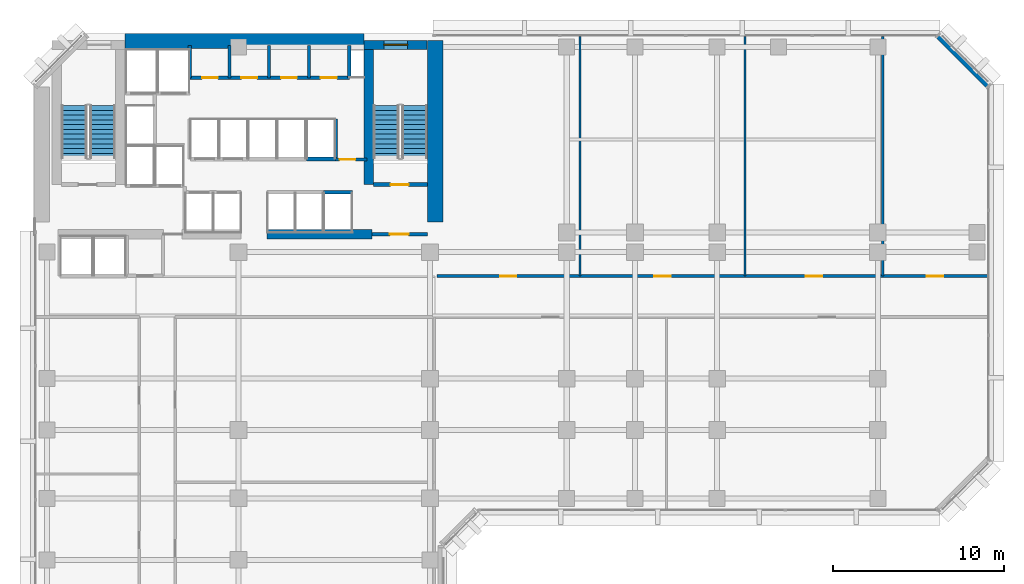
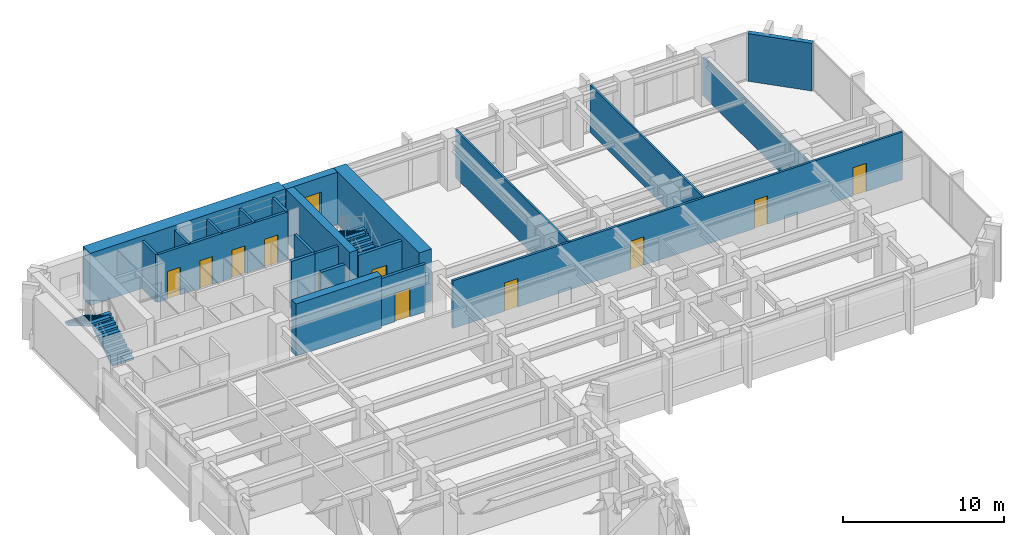
# One storey, part 8 of 13: 22 walls, 11 doors, 4 stair flights, 1 window, 12 openings, 2 elements without a shape of their own.
"""IFC4 building model written with IfcOpenShell, lengths in metres."""

import ifcopenshell
import ifcopenshell.guid

model = None  # the IFC model being written
_history = None  # IfcOwnerHistory: only IFC2X3 demands one
_inside = {}  # id of a spatial element -> (the spatial element, [elements in it])
_under = {}  # id of a project, library or spatial element -> (it, [spatial elements below it])
_declared = {}  # id of a project -> (the project, [libraries it declares])
_typed = {}  # id of a type object -> (the type object, [elements of that type])
_made_of = {}  # id of a material, layer set ... -> (it, [elements and type objects made of it])


def new_model(schema):
    """Start an empty IFC model of exactly this schema.

    Asked for "IFC4X3", IfcOpenShell would pick the latest addendum, in which some entities
    have other attributes; the version numbers below select the first issue.
    IFC2X3 requires an IfcOwnerHistory on every rooted entity: one is made here for all.
    """
    global model, _history
    if schema == "IFC4X3":
        model = ifcopenshell.file(schema_version=(4, 3, 0, 0))
    else:
        model = ifcopenshell.file(schema=schema)
    _inside.clear()
    _under.clear()
    _declared.clear()
    _typed.clear()
    _made_of.clear()
    _history = None
    if model.schema == "IFC2X3":
        org = make("IfcOrganization", Name="unknown")
        user = make(
            "IfcPersonAndOrganization",
            ThePerson=make("IfcPerson", FamilyName="unknown"),
            TheOrganization=org,
        )
        app = make(
            "IfcApplication",
            ApplicationDeveloper=org,
            Version="unknown",
            ApplicationFullName="unknown",
            ApplicationIdentifier="unknown",
        )
        _history = make(
            "IfcOwnerHistory",
            OwningUser=user,
            OwningApplication=app,
            ChangeAction="ADDED",
            CreationDate=0,
        )
    return model


def make(cls, **values):
    """One entity of the class cls with the attributes given. An attribute that is None is left unset."""
    return model.create_entity(
        cls, **{name: value for name, value in values.items() if value is not None}
    )


def rooted(cls, **values):
    """An entity with a GlobalId (a new one), such as an element, a storey or a relation."""
    return make(cls, GlobalId=ifcopenshell.guid.new(), OwnerHistory=_history, **values)


def si_unit(unit_type, name, prefix=None):
    """IfcSIUnit, for example si_unit("LENGTHUNIT", "METRE", prefix="MILLI")."""
    return make("IfcSIUnit", UnitType=unit_type, Prefix=prefix, Name=name)


def assignment(units):
    """IfcUnitAssignment: the units of a project."""
    return None if units is None else make("IfcUnitAssignment", Units=units)


def point(xyz):
    """IfcCartesianPoint."""
    return None if xyz is None else make("IfcCartesianPoint", Coordinates=xyz)


def direction(xyz):
    """IfcDirection."""
    return None if xyz is None else make("IfcDirection", DirectionRatios=xyz)


def frame(location, z_axis=None, x_axis=None):
    """IfcAxis2Placement3D, a coordinate frame: its origin and axes. An axis left out is left unset."""
    return make(
        "IfcAxis2Placement3D",
        Location=point(location),
        Axis=direction(z_axis),
        RefDirection=direction(x_axis),
    )


def frame_2d(location, x_axis=None):
    """IfcAxis2Placement2D, a coordinate frame in the plane: its origin and x axis."""
    return make(
        "IfcAxis2Placement2D", Location=point(location), RefDirection=direction(x_axis)
    )


def origin():
    """The frame at (0, 0, 0) with its axes left unset."""
    return frame((0.0, 0.0, 0.0))


def place(relative_to, where):
    """IfcLocalPlacement: puts the frame where relative to a parent placement (None: the world)."""
    return make(
        "IfcLocalPlacement", PlacementRelTo=relative_to, RelativePlacement=where
    )


def context(
    kind, dimensions, precision=None, world=None, true_north=None, identifier=None
):
    """IfcGeometricRepresentationContext, for example the 3D "Model" context."""
    return make(
        "IfcGeometricRepresentationContext",
        ContextIdentifier=identifier,
        ContextType=kind,
        CoordinateSpaceDimension=dimensions,
        Precision=precision,
        WorldCoordinateSystem=world,
        TrueNorth=true_north,
    )


def subcontext(parent, identifier, kind, view, scale=None):
    """IfcGeometricRepresentationSubContext, for example "Body" below "Model"."""
    return make(
        "IfcGeometricRepresentationSubContext",
        ContextIdentifier=identifier,
        ContextType=kind,
        ParentContext=parent,
        TargetScale=scale,
        TargetView=view,
    )


def project(units=None, contexts=None):
    """IfcProject with its units and contexts."""
    return rooted(
        "IfcProject",
        Name="project",
        RepresentationContexts=contexts,
        UnitsInContext=assignment(units),
    )


def spatial(cls, under=None, at=None, **own):
    """A site, building, storey or space (cls), placed at a placement, below another one or the project."""
    s = rooted(cls, ObjectPlacement=at, **own)
    if under is not None:
        _under.setdefault(under.id(), (under, []))[1].append(s)
    return s


def polyline(points):
    """IfcPolyline through the points."""
    return make("IfcPolyline", Points=[point(p) for p in points])


def profile(cls, at=None, kind="AREA", **sizes):
    """A parametric profile (cls). Its sizes go by their IFC names, for example OverallWidth=200.0."""
    return make(cls, ProfileType=kind, Position=at, **sizes)


def rectangle(**sizes):
    """IfcRectangleProfileDef."""
    return profile("IfcRectangleProfileDef", **sizes)


def outline(outer, holes=None, kind="AREA"):
    """IfcArbitraryClosedProfileDef: a profile drawn as a closed curve; with holes, ...WithVoids."""
    if holes is None:
        return make("IfcArbitraryClosedProfileDef", ProfileType=kind, OuterCurve=outer)
    return make(
        "IfcArbitraryProfileDefWithVoids",
        ProfileType=kind,
        OuterCurve=outer,
        InnerCurves=holes,
    )


def extrude(swept, where, along, depth):
    """IfcExtrudedAreaSolid: the profile swept, set in the frame where, extruded along a direction by depth."""
    return make(
        "IfcExtrudedAreaSolid",
        SweptArea=swept,
        Position=where,
        ExtrudedDirection=direction(along),
        Depth=depth,
    )


def shape(context_of_items, identifier, shape_type, items):
    """IfcShapeRepresentation: the items that make up one representation, for example the "Body"."""
    return make(
        "IfcShapeRepresentation",
        ContextOfItems=context_of_items,
        RepresentationIdentifier=identifier,
        RepresentationType=shape_type,
        Items=items,
    )


def material(Name=None, Category=None):
    """IfcMaterial."""
    return make("IfcMaterial", Name=Name, Category=Category)


def layer(
    of_material, thickness, ventilated=None, Name=None, Category=None, Priority=None
):
    """IfcMaterialLayer: one layer of a wall or slab, of a material (None: an air gap)."""
    return make(
        "IfcMaterialLayer",
        Material=of_material,
        LayerThickness=thickness,
        IsVentilated=ventilated,
        Name=Name,
        Category=Category,
        Priority=Priority,
    )


def layer_set(layers, Name=None):
    """IfcMaterialLayerSet."""
    return make("IfcMaterialLayerSet", MaterialLayers=layers, LayerSetName=Name)


def made_of(thing, what):
    """Note that an element or type object is made of a material, layer set ...; save() writes the relation."""
    if what is not None:
        _made_of.setdefault(what.id(), (what, []))[1].append(thing)
    return thing


def type_object(cls, material=None, **own):
    """A type object (cls), such as IfcWallType, which elements share."""
    return made_of(rooted(cls, **own), material)


def element(
    cls,
    number,
    at=None,
    inside=None,
    cuts=None,
    type_object=None,
    material=None,
    context=None,
    identifier="Body",
    shape_type=None,
    held_by="IfcProductDefinitionShape",
    body=None,
    shapes=None,
    **own,
):
    """One element of the class cls, such as IfcWall. Its Tag is "e" and its number.

    at: its placement. inside: the storey or other place that contains it. cuts: it is an
    opening in that element (IfcRelVoidsElement). A single representation is given by context,
    identifier, shape_type and body (its items); several are given by shapes. held_by: the class
    of the entity that holds the representations. save() writes the other relations.
    """
    e = rooted(cls, Tag="e%d" % number, ObjectPlacement=at, **own)
    if body is not None:
        shapes = [shape(context, identifier, shape_type, body)]
    if shapes is not None:
        e.Representation = make(held_by, Representations=shapes)
    if inside is not None:
        _inside.setdefault(inside.id(), (inside, []))[1].append(e)
    if cuts is not None:
        rooted(
            "IfcRelVoidsElement", RelatingBuildingElement=cuts, RelatedOpeningElement=e
        )
    if type_object is not None:
        _typed.setdefault(type_object.id(), (type_object, []))[1].append(e)
    return made_of(e, material)


def fill(opening, filler):
    """IfcRelFillsElement: the door or window that sits in an opening."""
    return rooted(
        "IfcRelFillsElement",
        RelatingOpeningElement=opening,
        RelatedBuildingElement=filler,
    )


def aggregate(whole, parts):
    """IfcRelAggregates: a whole, such as a stair, and the parts it consists of."""
    return rooted("IfcRelAggregates", RelatingObject=whole, RelatedObjects=parts)


def save(model, path):
    """Write the relations noted so far, then the file.

    IfcRelAggregates (storeys below a building ...), IfcRelContainedInSpatialStructure (elements
    in a storey), IfcRelDefinesByType, IfcRelAssociatesMaterial and IfcRelDeclares: one each for
    every whole, place, type object, material and project.
    """
    for whole, parts in _under.values():
        aggregate(whole, parts)
    for where, things in _inside.values():
        rooted(
            "IfcRelContainedInSpatialStructure",
            RelatedElements=things,
            RelatingStructure=where,
        )
    for kind, things in _typed.values():
        rooted("IfcRelDefinesByType", RelatedObjects=things, RelatingType=kind)
    for what, things in _made_of.values():
        rooted("IfcRelAssociatesMaterial", RelatedObjects=things, RelatingMaterial=what)
    for by, libraries in _declared.values():
        rooted("IfcRelDeclares", RelatingContext=by, RelatedDefinitions=libraries)
    model.write(path)


model = new_model("IFC4")

# Units and contexts
model_context = context("Model", 3, precision=1e-05, world=origin(), true_north=direction((0.0, 1.0)))
body_context = subcontext(model_context, "Body", "Model", "MODEL_VIEW")
ifc_project = project(units=[si_unit("LENGTHUNIT", "METRE"), si_unit("AREAUNIT", "SQUARE_METRE"), si_unit("VOLUMEUNIT", "CUBIC_METRE"), si_unit("PLANEANGLEUNIT", "RADIAN"), si_unit("MASSUNIT", "GRAM", prefix="KILO")], contexts=[model_context])

# Site, building, storey
site_placement = place(None, origin())
site = spatial("IfcSite", under=ifc_project, at=site_placement, CompositionType="ELEMENT")
building_placement = place(site_placement, origin())
building = spatial("IfcBuilding", under=site, at=building_placement, Name="Kefirva Bronze Tower", CompositionType="ELEMENT")
storey_placement = place(building_placement, frame((0.0, 0.0, 89.760009765625)))
storey = spatial("IfcBuildingStorey", under=building, at=storey_placement, Name="L21", CompositionType="ELEMENT", Elevation=89.760009765625)

# Walls
ifc_material_1 = material(Name="Gypsum acoustic partition")
ifc_layer_1 = layer(ifc_material_1, 0.1298828125, Name="Gypsum acoustic partition")
ifc_layer_set_1 = layer_set([ifc_layer_1], Name="Gypsum acoustic partition")
wall_type_1 = type_object("IfcWallType", Name="Acoustic Office Partition 130mm", PredefinedType="PARTITIONING", material=ifc_layer_set_1)
for number, where, z_axis, x_axis, name in (
    (1, (31.974609375, 31.800048828125, 0.0), (0.0, 0.0, 1.0), (0.0, 1.0, 0.0), "L21 Partition W-L21-END1"),
    (2, (41.6376953125, 31.800048828125, 0.0), (0.0, 0.0, 1.0), (0.0, 1.0, 0.0), "L21 Partition W-L21-END2"),
):
    element("IfcWall", number, at=place(storey_placement, frame(where, z_axis=z_axis, x_axis=x_axis)), inside=storey, type_object=wall_type_1, Name=name, PredefinedType="PARTITIONING", context=body_context, shape_type="SweptSolid", body=[
        extrude(rectangle(XDim=14.010009765625, YDim=0.1298828125, at=frame_2d((7.0048828125, 0.0))), origin(), (0.0, 0.0, 1.0), 3.610107421875),
    ])
wall_1_placement = place(storey_placement, frame((49.690185546875, 31.800048828125, 0.0), z_axis=(0.0, 0.0, 1.0), x_axis=(0.0, 1.0, 0.0)))
element("IfcWall", 3, at=wall_1_placement, inside=storey, type_object=wall_type_1, Name="L21 Partition W-L21-END3", PredefinedType="PARTITIONING", context=body_context, shape_type="SweptSolid", body=[
    extrude(rectangle(XDim=14.010009765625, YDim=0.1298828125, at=frame_2d((7.0048828125, 0.0))), origin(), (0.0, 0.0, 1.0), 2.89501953125),
])

# Wall, opening, door
ifc_material_2 = material(Name="Gypsum fireboard shaftwall")
ifc_layer_2 = layer(ifc_material_2, 0.219970703125, Name="Gypsum fireboard shaftwall")
ifc_layer_set_2 = layer_set([ifc_layer_2], Name="Gypsum fireboard shaftwall")
wall_type_2 = type_object("IfcWallType", Name="Fire-Rated Shaft Enclosure Wall 220mm", PredefinedType="PARTITIONING", material=ifc_layer_set_2)
wall_2_placement = place(storey_placement, frame((19.89990234375, 37.14990234375, 0.0), z_axis=(0.0, 0.0, 1.0), x_axis=(1.0, 0.0, 0.0)))
wall_2 = element("IfcWall", 4, at=wall_2_placement, inside=storey, type_object=wall_type_2, Name="L21 Partition W-L21-ST2S", PredefinedType="PARTITIONING", context=body_context, shape_type="SweptSolid", body=[
    extrude(rectangle(XDim=3.150146484375, YDim=0.219970703125, at=frame_2d((1.5751953125, 0.0))), origin(), (0.0, 0.0, 1.0), 3.610107421875),
])
opening_1_placement = place(wall_2_placement, frame((2.050048828125, 0.0, 0.0), z_axis=(0.0, 0.0, 1.0), x_axis=(-1.0, 0.0, 0.0)))
opening_1 = element("IfcOpeningElement", 5, at=opening_1_placement, cuts=wall_2, Name="Opening L21-D003", PredefinedType="OPENING", context=body_context, shape_type="SweptSolid", body=[
    extrude(rectangle(XDim=1.050048828125, YDim=2.14990234375, at=frame_2d((0.52490234375, 1.074951171875))), frame((0.0, 0.1201171875, 0.0), z_axis=(0.0, -1.0, 0.0), x_axis=(1.0, 0.0, 0.0)), (0.0, 0.0, 1.0), 0.239990234375),
])
ifc_material_3 = material(Name="Painted galvanized steel", Category="steel")
door_type_1 = type_object("IfcDoorType", Name="Fire Stair Enclosure Door 1050x2150 FD90S", OperationType="NOTDEFINED", PredefinedType="DOOR", material=ifc_material_3)
door_1_placement = place(opening_1_placement, origin())
door_1 = element("IfcDoor", 6, at=door_1_placement, inside=storey, type_object=door_type_1, Name="Door L21-D003", OperationType="SINGLE_SWING_LEFT", OverallHeight=2.14990234375, OverallWidth=1.050048828125, PredefinedType="DOOR", context=body_context, shape_type="SweptSolid", body=[
    extrude(rectangle(XDim=1.050048828125, YDim=2.14990234375, at=frame_2d((0.52490234375, 1.074951171875))), frame((0.0, 0.02490234375, 0.0), z_axis=(0.0, -1.0, 0.0), x_axis=(1.0, 0.0, 0.0)), (0.0, 0.0, 1.0), 0.050048828125),
])
fill(opening_1, door_1)

# Walls
wall_3_placement = place(storey_placement, frame((17.679931640625, 38.64990234375, 0.0), z_axis=(0.0, 0.0, 1.0), x_axis=(0.0, 1.0, 0.0)))
element("IfcWall", 7, at=wall_3_placement, inside=storey, type_object=wall_type_2, Name="L21 Partition W-L21-HP2E", PredefinedType="PARTITIONING", context=body_context, shape_type="SweptSolid", body=[
    extrude(rectangle(XDim=2.35009765625, YDim=0.199951171875, at=frame_2d((1.175048828125, 0.0))), origin(), (0.0, 0.0, 1.0), 3.610107421875),
])
wall_4_placement = place(storey_placement, frame((16.97998046875, 36.699951171875, 0.0), z_axis=(0.0, 0.0, 1.0), x_axis=(1.0, 0.0, 0.0)))
element("IfcWall", 8, at=wall_4_placement, inside=storey, type_object=wall_type_2, Name="L21 Partition W-L21-HPS", PredefinedType="PARTITIONING", context=body_context, shape_type="SweptSolid", body=[
    extrude(rectangle(XDim=1.699951171875, YDim=0.219970703125, at=frame_2d((0.85009765625, 0.0))), origin(), (0.0, 0.0, 1.0), 3.610107421875),
])
wall_5_placement = place(storey_placement, frame((15.97998046875, 38.64990234375, 0.0), z_axis=(0.0, 0.0, 1.0), x_axis=(1.0, 0.0, 0.0)))
element("IfcWall", 9, at=wall_5_placement, inside=storey, type_object=wall_type_2, Name="L21 Partition W-L21-HPN", PredefinedType="PARTITIONING", context=body_context, shape_type="SweptSolid", body=[
    extrude(rectangle(XDim=1.719970703125, YDim=0.219970703125, at=frame_2d((0.85986328125, 0.0))), origin(), (0.0, 0.0, 1.0), 3.610107421875),
])

# Wall, opening, door
ifc_material_4 = material(Name="Gypsum fireboard barrier")
ifc_layer_3 = layer(ifc_material_4, 0.199951171875, Name="Gypsum fireboard barrier")
ifc_layer_set_3 = layer_set([ifc_layer_3], Name="Gypsum fireboard barrier")
wall_type_3 = type_object("IfcWallType", Name="Firefighting Lobby Barrier Wall 200mm", PredefinedType="PARTITIONING", material=ifc_layer_set_3)
wall_6_placement = place(storey_placement, frame((19.800048828125, 34.25, 0.0), z_axis=(0.0, 0.0, 1.0), x_axis=(1.0, 0.0, 0.0)))
wall_6 = element("IfcWall", 10, at=wall_6_placement, inside=storey, type_object=wall_type_3, Name="L21 Partition W-L21-ST2F", PredefinedType="PARTITIONING", context=body_context, shape_type="SweptSolid", body=[
    extrude(rectangle(XDim=3.25, YDim=0.199951171875, at=frame_2d((1.625, 0.0))), origin(), (0.0, 0.0, 1.0), 3.610107421875),
])
opening_2_placement = place(wall_6_placement, frame((2.150146484375, 0.0, 0.0), z_axis=(0.0, 0.0, 1.0), x_axis=(-1.0, 0.0, 0.0)))
opening_2 = element("IfcOpeningElement", 11, at=opening_2_placement, cuts=wall_6, Name="Opening L21-D004", PredefinedType="OPENING", context=body_context, shape_type="SweptSolid", body=[
    extrude(rectangle(XDim=1.10009765625, YDim=2.14990234375, at=frame_2d((0.550048828125, 1.074951171875))), frame((0.0, 0.10986328125, 0.0), z_axis=(0.0, -1.0, 0.0), x_axis=(1.0, 0.0, 0.0)), (0.0, 0.0, 1.0), 0.219970703125),
])
door_type_2 = type_object("IfcDoorType", Name="Firefighting Lobby Smoke Door 1100x2150 FD60S", OperationType="NOTDEFINED", PredefinedType="DOOR", material=ifc_material_3)
door_2_placement = place(opening_2_placement, origin())
door_2 = element("IfcDoor", 12, at=door_2_placement, inside=storey, type_object=door_type_2, Name="Door L21-D004", OperationType="SINGLE_SWING_RIGHT", OverallHeight=2.14990234375, OverallWidth=1.10009765625, PredefinedType="DOOR", context=body_context, shape_type="SweptSolid", body=[
    extrude(rectangle(XDim=1.10009765625, YDim=2.14990234375, at=frame_2d((0.550048828125, 1.074951171875))), frame((0.0, 0.02490234375, 0.0), z_axis=(0.0, -1.0, 0.0), x_axis=(1.0, 0.0, 0.0)), (0.0, 0.0, 1.0), 0.050048828125),
])
fill(opening_2, door_2)

wall_7_placement = place(storey_placement, frame((17.679931640625, 38.6201171875, 0.0), z_axis=(0.0, 0.0, 1.0), x_axis=(1.0, 0.0, 0.0)))
wall_7 = element("IfcWall", 13, at=wall_7_placement, inside=storey, type_object=wall_type_3, Name="L21 Partition W-L21-CPASS", PredefinedType="PARTITIONING", context=body_context, shape_type="SweptSolid", body=[
    extrude(rectangle(XDim=1.840087890625, YDim=0.179931640625, at=frame_2d((0.919921875, 0.0))), origin(), (0.0, 0.0, 1.0), 3.610107421875),
])
opening_3_placement = place(wall_7_placement, frame((0.239990234375, 0.0, 0.0)))
opening_3 = element("IfcOpeningElement", 14, at=opening_3_placement, cuts=wall_7, Name="Opening L21-D-CPAS", PredefinedType="OPENING", context=body_context, shape_type="SweptSolid", body=[
    extrude(rectangle(XDim=0.919921875, YDim=2.10009765625, at=frame_2d((0.4599609375, 1.050048828125))), frame((0.0, 0.10009765625, 0.0), z_axis=(0.0, -1.0, 0.0), x_axis=(1.0, 0.0, 0.0)), (0.0, 0.0, 1.0), 0.199951171875),
])
ifc_material_5 = material(Name="Moisture-resistant timber", Category="wood")
door_type_3 = type_object("IfcDoorType", Name="Accessible Sanitary & WC Door 920x2100", OperationType="NOTDEFINED", PredefinedType="DOOR", material=ifc_material_5)
door_3_placement = place(opening_3_placement, origin())
door_3 = element("IfcDoor", 15, at=door_3_placement, inside=storey, type_object=door_type_3, Name="Door L21-D-CPAS", OperationType="SINGLE_SWING_LEFT", OverallHeight=2.10009765625, OverallWidth=0.919921875, PredefinedType="DOOR", context=body_context, shape_type="SweptSolid", body=[
    extrude(rectangle(XDim=0.919921875, YDim=2.10009765625, at=frame_2d((0.4599609375, 1.050048828125))), frame((0.0, 0.02490234375, 0.0), z_axis=(0.0, -1.0, 0.0), x_axis=(1.0, 0.0, 0.0)), (0.0, 0.0, 1.0), 0.050048828125),
])
fill(opening_3, door_3)

# Wall
ifc_material_6 = material(Name="Precast concrete C40/50", Category="concrete")
ifc_layer_4 = layer(ifc_material_6, 0.320068359375, Name="Precast concrete C40/50")
ifc_layer_set_4 = layer_set([ifc_layer_4], Name="Precast concrete C40/50")
wall_type_4 = type_object("IfcWallType", Name="Precast Insulated Exterior Wall 320mm", PredefinedType="SOLIDWALL", material=ifc_layer_set_4)
wall_8_placement = place(storey_placement, frame((55.847900390625, 42.92578125, 0.0), z_axis=(0.0, 0.0, 1.0), x_axis=(-0.707106781187, 0.707106781187, 0.0)))
element("IfcWall", 16, at=wall_8_placement, inside=storey, type_object=wall_type_4, Name="L21 Exterior Facade Wall 8", PredefinedType="SOLIDWALL", context=body_context, shape_type="SweptSolid", body=[
    extrude(rectangle(XDim=4.132568359375, YDim=0.320068359375, at=frame_2d((2.06640625, 0.0))), origin(), (0.0, 0.0, 1.0), 3.610107421875),
])

# Wall, openings, doors
ifc_layer_5 = layer(ifc_material_1, 0.159912109375, Name="Gypsum acoustic partition")
ifc_layer_set_5 = layer_set([ifc_layer_5], Name="Gypsum acoustic partition")
wall_type_5 = type_object("IfcWallType", Name="Protected Corridor Partition 160mm", PredefinedType="PARTITIONING", material=ifc_layer_set_5)
wall_9_placement = place(storey_placement, frame((23.60009765625, 31.800048828125, 0.0), z_axis=(0.0, 0.0, 1.0), x_axis=(1.0, 0.0, 0.0)))
wall_9 = element("IfcWall", 17, at=wall_9_placement, inside=storey, type_object=wall_type_5, Name="L21 Partition W-L21-EWN", PredefinedType="PARTITIONING", context=body_context, shape_type="SweptSolid", body=[
    extrude(rectangle(XDim=32.2099609375, YDim=0.159912109375, at=frame_2d((16.10498046875, 0.0))), origin(), (0.0, 0.0, 1.0), 3.610107421875),
])
opening_4_placement = place(wall_9_placement, frame((3.71240234375, 0.0, 0.0)))
opening_4 = element("IfcOpeningElement", 18, at=opening_4_placement, cuts=wall_9, Name="Opening L21-D-EN1", PredefinedType="OPENING", context=body_context, shape_type="SweptSolid", body=[
    extrude(rectangle(XDim=0.949951171875, YDim=2.14990234375, at=frame_2d((0.47509765625, 1.074951171875))), frame((0.0, 0.08984375, 0.0), z_axis=(0.0, -1.0, 0.0), x_axis=(1.0, 0.0, 0.0)), (0.0, 0.0, 1.0), 0.179931640625),
])
opening_5_placement = place(wall_9_placement, frame((12.731201171875, 0.0, 0.0)))
opening_5 = element("IfcOpeningElement", 19, at=opening_5_placement, cuts=wall_9, Name="Opening L21-D-EN2", PredefinedType="OPENING", context=body_context, shape_type="SweptSolid", body=[
    extrude(rectangle(XDim=0.949951171875, YDim=2.14990234375, at=frame_2d((0.47509765625, 1.074951171875))), frame((0.0, 0.08984375, 0.0), z_axis=(0.0, -1.0, 0.0), x_axis=(1.0, 0.0, 0.0)), (0.0, 0.0, 1.0), 0.179931640625),
])
opening_6_placement = place(wall_9_placement, frame((21.5888671875, 0.0, 0.0)))
opening_6 = element("IfcOpeningElement", 20, at=opening_6_placement, cuts=wall_9, Name="Opening L21-D-EN3", PredefinedType="OPENING", context=body_context, shape_type="SweptSolid", body=[
    extrude(rectangle(XDim=0.949951171875, YDim=2.14990234375, at=frame_2d((0.47509765625, 1.074951171875))), frame((0.0, 0.08984375, 0.0), z_axis=(0.0, -1.0, 0.0), x_axis=(1.0, 0.0, 0.0)), (0.0, 0.0, 1.0), 0.179931640625),
])
opening_7_placement = place(wall_9_placement, frame((28.675048828125, 0.0, 0.0)))
opening_7 = element("IfcOpeningElement", 21, at=opening_7_placement, cuts=wall_9, Name="Opening L21-D-EN4", PredefinedType="OPENING", context=body_context, shape_type="SweptSolid", body=[
    extrude(rectangle(XDim=0.949951171875, YDim=2.14990234375, at=frame_2d((0.47509765625, 1.074951171875))), frame((0.0, 0.08984375, 0.0), z_axis=(0.0, -1.0, 0.0), x_axis=(1.0, 0.0, 0.0)), (0.0, 0.0, 1.0), 0.179931640625),
])
ifc_material_7 = material(Name="Acoustic hardwood oak", Category="wood")
door_type_4 = type_object("IfcDoorType", Name="Office & Meeting Room Door 950x2150", OperationType="NOTDEFINED", PredefinedType="DOOR", material=ifc_material_7)
door_4_placement = place(opening_4_placement, origin())
door_4 = element("IfcDoor", 22, at=door_4_placement, inside=storey, type_object=door_type_4, Name="Door L21-D-EN1", OperationType="SINGLE_SWING_RIGHT", OverallHeight=2.14990234375, OverallWidth=0.949951171875, PredefinedType="DOOR", context=body_context, shape_type="SweptSolid", body=[
    extrude(rectangle(XDim=0.949951171875, YDim=2.14990234375, at=frame_2d((0.47509765625, 1.074951171875))), frame((0.0, 0.02490234375, 0.0), z_axis=(0.0, -1.0, 0.0), x_axis=(1.0, 0.0, 0.0)), (0.0, 0.0, 1.0), 0.050048828125),
])
fill(opening_4, door_4)
door_5_placement = place(opening_5_placement, origin())
door_5 = element("IfcDoor", 23, at=door_5_placement, inside=storey, type_object=door_type_4, Name="Door L21-D-EN2", OperationType="SINGLE_SWING_LEFT", OverallHeight=2.14990234375, OverallWidth=0.949951171875, PredefinedType="DOOR", context=body_context, shape_type="SweptSolid", body=[
    extrude(rectangle(XDim=0.949951171875, YDim=2.14990234375, at=frame_2d((0.47509765625, 1.074951171875))), frame((0.0, 0.02490234375, 0.0), z_axis=(0.0, -1.0, 0.0), x_axis=(1.0, 0.0, 0.0)), (0.0, 0.0, 1.0), 0.050048828125),
])
fill(opening_5, door_5)
door_6_placement = place(opening_6_placement, origin())
door_6 = element("IfcDoor", 24, at=door_6_placement, inside=storey, type_object=door_type_4, Name="Door L21-D-EN3", OperationType="SINGLE_SWING_RIGHT", OverallHeight=2.14990234375, OverallWidth=0.949951171875, PredefinedType="DOOR", context=body_context, shape_type="SweptSolid", body=[
    extrude(rectangle(XDim=0.949951171875, YDim=2.14990234375, at=frame_2d((0.47509765625, 1.074951171875))), frame((0.0, 0.02490234375, 0.0), z_axis=(0.0, -1.0, 0.0), x_axis=(1.0, 0.0, 0.0)), (0.0, 0.0, 1.0), 0.050048828125),
])
fill(opening_6, door_6)
door_7_placement = place(opening_7_placement, origin())
door_7 = element("IfcDoor", 25, at=door_7_placement, inside=storey, type_object=door_type_4, Name="Door L21-D-EN4", OperationType="SINGLE_SWING_LEFT", OverallHeight=2.14990234375, OverallWidth=0.949951171875, PredefinedType="DOOR", context=body_context, shape_type="SweptSolid", body=[
    extrude(rectangle(XDim=0.949951171875, YDim=2.14990234375, at=frame_2d((0.47509765625, 1.074951171875))), frame((0.0, 0.02490234375, 0.0), z_axis=(0.0, -1.0, 0.0), x_axis=(1.0, 0.0, 0.0)), (0.0, 0.0, 1.0), 0.050048828125),
])
fill(opening_7, door_7)

# Wall, opening, window
ifc_material_8 = material(Name="Concrete C50/60", Category="concrete")
ifc_layer_6 = layer(ifc_material_8, 0.550048828125, Name="Concrete C50/60")
ifc_layer_set_6 = layer_set([ifc_layer_6], Name="Concrete C50/60")
wall_type_6 = type_object("IfcWallType", Name="RC Rear Core Exterior Wall 550mm", PredefinedType="SHEAR", material=ifc_layer_set_6)
wall_10_placement = place(storey_placement, frame((19.35009765625, 45.320068359375, 0.0), z_axis=(0.0, 0.0, 1.0), x_axis=(1.0, 0.0, 0.0)))
wall_10 = element("IfcWall", 26, at=wall_10_placement, inside=storey, type_object=wall_type_6, Name="L21 Stair 2 North Shear Wall", PredefinedType="SHEAR", context=body_context, shape_type="SweptSolid", body=[
    extrude(rectangle(XDim=3.68994140625, YDim=0.550048828125, at=frame_2d((1.844970703125, 0.0))), origin(), (0.0, 0.0, 1.0), 3.9599609375),
])
opening_8_placement = place(wall_10_placement, frame((1.14990234375, 0.0, 1.050048828125)))
opening_8 = element("IfcOpeningElement", 27, at=opening_8_placement, cuts=wall_10, Name="Opening WN-03", PredefinedType="OPENING", context=body_context, shape_type="SweptSolid", body=[
    extrude(rectangle(XDim=1.39990234375, YDim=1.800048828125, at=frame_2d((0.699951171875, 0.89990234375))), frame((0.0, 0.28515625, 0.0), z_axis=(0.0, -1.0, 0.0), x_axis=(1.0, 0.0, 0.0)), (0.0, 0.0, 1.0), 0.570068359375),
])
ifc_material_9 = material(Name="Laminated low-E double glazing", Category="glass")
window_type = type_object("IfcWindowType", Name="Rear-Core Stair Daylight Window 1400x1800", PartitioningType="SINGLE_PANEL", PredefinedType="WINDOW", material=ifc_material_9)
window_placement = place(opening_8_placement, origin())
window = element("IfcWindow", 28, at=window_placement, inside=storey, type_object=window_type, Name="L21 Stair 2 Daylight Window", OverallHeight=1.800048828125, OverallWidth=1.39990234375, PartitioningType="SINGLE_PANEL", PredefinedType="WINDOW", context=body_context, shape_type="SweptSolid", body=[
    extrude(rectangle(XDim=1.39990234375, YDim=1.800048828125, at=frame_2d((0.699951171875, 0.89990234375))), frame((0.0, 0.030029296875, 0.0), z_axis=(0.0, -1.0, 0.0), x_axis=(1.0, 0.0, 0.0)), (0.0, 0.0, 1.0), 0.06005859375),
])
fill(opening_8, window)

# Walls
ifc_material_10 = material(Name="Concrete C60/75", Category="concrete")
ifc_layer_7 = layer(ifc_material_10, 0.89990234375, Name="Concrete C60/75")
ifc_layer_set_7 = layer_set([ifc_layer_7], Name="Concrete C60/75")
wall_type_7 = type_object("IfcWallType", Name="RC Rear Core Exterior Wall 900mm", PredefinedType="SHEAR", material=ifc_layer_set_7)
wall_11_placement = place(storey_placement, frame((5.360107421875, 45.550048828125, 0.0), z_axis=(0.0, 0.0, 1.0), x_axis=(1.0, 0.0, 0.0)))
element("IfcWall", 29, at=wall_11_placement, inside=storey, type_object=wall_type_7, Name="L21 Rear Core North Shear Wall", PredefinedType="SHEAR", context=body_context, shape_type="SweptSolid", body=[
    extrude(rectangle(XDim=13.97998046875, YDim=0.89990234375, at=frame_2d((6.989990234375, 0.0))), origin(), (0.0, 0.0, 1.0), 3.9599609375),
])
ifc_layer_8 = layer(ifc_material_8, 0.550048828125, Name="Concrete C50/60")
ifc_layer_set_8 = layer_set([ifc_layer_8], Name="Concrete C50/60")
wall_type_8 = type_object("IfcWallType", Name="RC Rear Core Interior Wall 550mm", PredefinedType="SHEAR", material=ifc_layer_set_8)
wall_12_placement = place(storey_placement, frame((19.6201171875, 37.14990234375, 0.0), z_axis=(0.0, 0.0, 1.0), x_axis=(0.0, 1.0, 0.0)))
element("IfcWall", 30, at=wall_12_placement, inside=storey, type_object=wall_type_8, Name="L21 Stair 2 West Shear Wall", PredefinedType="SHEAR", context=body_context, shape_type="SweptSolid", body=[
    extrude(rectangle(XDim=7.89013671875, YDim=0.550048828125, at=frame_2d((3.945068359375, 0.0))), origin(), (0.0, 0.0, 1.0), 3.9599609375),
])
ifc_layer_9 = layer(ifc_material_10, 0.89990234375, Name="Concrete C60/75")
ifc_layer_set_9 = layer_set([ifc_layer_9], Name="Concrete C60/75")
wall_type_9 = type_object("IfcWallType", Name="RC Rear Core Interior Wall 900mm", PredefinedType="SHEAR", material=ifc_layer_set_9)
wall_13_placement = place(storey_placement, frame((23.5, 34.949951171875, 0.0), z_axis=(0.0, 0.0, 1.0), x_axis=(0.0, 1.0, 0.0)))
element("IfcWall", 31, at=wall_13_placement, inside=storey, type_object=wall_type_9, Name="L21 Rear Core East Shear Wall", PredefinedType="SHEAR", context=body_context, shape_type="SweptSolid", body=[
    extrude(rectangle(XDim=10.64013671875, YDim=0.89990234375, at=frame_2d((5.320068359375, 0.0))), origin(), (0.0, 0.0, 1.0), 3.9599609375),
])
wall_14_placement = place(storey_placement, frame((13.679931640625, 34.25, 0.0), z_axis=(0.0, 0.0, 1.0), x_axis=(1.0, 0.0, 0.0)))
element("IfcWall", 32, at=wall_14_placement, inside=storey, type_object=wall_type_9, Name="L21 Rear Core South-East Shear Wall", PredefinedType="SHEAR", context=body_context, shape_type="SweptSolid", body=[
    extrude(rectangle(XDim=6.1201171875, YDim=0.550048828125, at=frame_2d((3.06005859375, 0.0))), origin(), (0.0, 0.0, 1.0), 3.9599609375),
])

# Wall, openings, doors
ifc_material_11 = material(Name="Moisture-resistant partition")
ifc_layer_10 = layer(ifc_material_11, 0.179931640625, Name="Moisture-resistant partition")
ifc_layer_set_10 = layer_set([ifc_layer_10], Name="Moisture-resistant partition")
wall_type_10 = type_object("IfcWallType", Name="Sanitary Plumbing Chase Wall 180mm", PredefinedType="PLUMBINGWALL", material=ifc_layer_set_10)
wall_15_placement = place(storey_placement, frame((9.14990234375, 43.39990234375, 0.0), z_axis=(0.0, 0.0, 1.0), x_axis=(1.0, 0.0, 0.0)))
wall_15 = element("IfcWall", 33, at=wall_15_placement, inside=storey, type_object=wall_type_10, Name="L21 Partition W-L21-SVCS", PredefinedType="PLUMBINGWALL", context=body_context, shape_type="SweptSolid", body=[
    extrude(rectangle(XDim=9.330078125, YDim=0.179931640625, at=frame_2d((4.6650390625, 0.0))), origin(), (0.0, 0.0, 1.0), 3.610107421875),
])
opening_9_placement = place(wall_15_placement, frame((0.719970703125, 0.0, 0.0)))
opening_9 = element("IfcOpeningElement", 34, at=opening_9_placement, cuts=wall_15, Name="Opening L21-D-CSVC1", PredefinedType="OPENING", context=body_context, shape_type="SweptSolid", body=[
    extrude(rectangle(XDim=0.919921875, YDim=2.10009765625, at=frame_2d((0.4599609375, 1.050048828125))), frame((0.0, 0.10009765625, 0.0), z_axis=(0.0, -1.0, 0.0), x_axis=(1.0, 0.0, 0.0)), (0.0, 0.0, 1.0), 0.199951171875),
])
opening_10_placement = place(wall_15_placement, frame((3.02001953125, 0.0, 0.0)))
opening_10 = element("IfcOpeningElement", 35, at=opening_10_placement, cuts=wall_15, Name="Opening L21-D-CSVC2", PredefinedType="OPENING", context=body_context, shape_type="SweptSolid", body=[
    extrude(rectangle(XDim=0.919921875, YDim=2.10009765625, at=frame_2d((0.4599609375, 1.050048828125))), frame((0.0, 0.10009765625, 0.0), z_axis=(0.0, -1.0, 0.0), x_axis=(1.0, 0.0, 0.0)), (0.0, 0.0, 1.0), 0.199951171875),
])
opening_11_placement = place(wall_15_placement, frame((5.340087890625, 0.0, 0.0)))
opening_11 = element("IfcOpeningElement", 36, at=opening_11_placement, cuts=wall_15, Name="Opening L21-D-CSVC3", PredefinedType="OPENING", context=body_context, shape_type="SweptSolid", body=[
    extrude(rectangle(XDim=0.919921875, YDim=2.10009765625, at=frame_2d((0.4599609375, 1.050048828125))), frame((0.0, 0.10009765625, 0.0), z_axis=(0.0, -1.0, 0.0), x_axis=(1.0, 0.0, 0.0)), (0.0, 0.0, 1.0), 0.199951171875),
])
opening_12_placement = place(wall_15_placement, frame((7.659912109375, 0.0, 0.0)))
opening_12 = element("IfcOpeningElement", 37, at=opening_12_placement, cuts=wall_15, Name="Opening L21-D-CSVC4", PredefinedType="OPENING", context=body_context, shape_type="SweptSolid", body=[
    extrude(rectangle(XDim=0.949951171875, YDim=2.10009765625, at=frame_2d((0.47509765625, 1.050048828125))), frame((0.0, 0.10009765625, 0.0), z_axis=(0.0, -1.0, 0.0), x_axis=(1.0, 0.0, 0.0)), (0.0, 0.0, 1.0), 0.199951171875),
])
door_8_placement = place(opening_9_placement, origin())
door_8 = element("IfcDoor", 38, at=door_8_placement, inside=storey, type_object=door_type_3, Name="Door L21-D-CSVC1", OperationType="SINGLE_SWING_LEFT", OverallHeight=2.10009765625, OverallWidth=0.919921875, PredefinedType="DOOR", context=body_context, shape_type="SweptSolid", body=[
    extrude(rectangle(XDim=0.919921875, YDim=2.10009765625, at=frame_2d((0.4599609375, 1.050048828125))), frame((0.0, 0.02490234375, 0.0), z_axis=(0.0, -1.0, 0.0), x_axis=(1.0, 0.0, 0.0)), (0.0, 0.0, 1.0), 0.050048828125),
])
fill(opening_9, door_8)
door_9_placement = place(opening_10_placement, origin())
door_9 = element("IfcDoor", 39, at=door_9_placement, inside=storey, type_object=door_type_3, Name="Door L21-D-CSVC2", OperationType="SINGLE_SWING_RIGHT", OverallHeight=2.10009765625, OverallWidth=0.919921875, PredefinedType="DOOR", context=body_context, shape_type="SweptSolid", body=[
    extrude(rectangle(XDim=0.919921875, YDim=2.10009765625, at=frame_2d((0.4599609375, 1.050048828125))), frame((0.0, 0.02490234375, 0.0), z_axis=(0.0, -1.0, 0.0), x_axis=(1.0, 0.0, 0.0)), (0.0, 0.0, 1.0), 0.050048828125),
])
fill(opening_10, door_9)
door_10_placement = place(opening_11_placement, origin())
door_10 = element("IfcDoor", 40, at=door_10_placement, inside=storey, type_object=door_type_3, Name="Door L21-D-CSVC3", OperationType="SINGLE_SWING_LEFT", OverallHeight=2.10009765625, OverallWidth=0.919921875, PredefinedType="DOOR", context=body_context, shape_type="SweptSolid", body=[
    extrude(rectangle(XDim=0.919921875, YDim=2.10009765625, at=frame_2d((0.4599609375, 1.050048828125))), frame((0.0, 0.02490234375, 0.0), z_axis=(0.0, -1.0, 0.0), x_axis=(1.0, 0.0, 0.0)), (0.0, 0.0, 1.0), 0.050048828125),
])
fill(opening_11, door_10)
door_type_5 = type_object("IfcDoorType", Name="Riser & Plant Shaft Fire Door 950x2100 FD60S", OperationType="NOTDEFINED", PredefinedType="DOOR", material=ifc_material_3)
door_11_placement = place(opening_12_placement, origin())
door_11 = element("IfcDoor", 41, at=door_11_placement, inside=storey, type_object=door_type_5, Name="Door L21-D-CSVC4", OperationType="SINGLE_SWING_RIGHT", OverallHeight=2.10009765625, OverallWidth=0.949951171875, PredefinedType="DOOR", context=body_context, shape_type="SweptSolid", body=[
    extrude(rectangle(XDim=0.949951171875, YDim=2.10009765625, at=frame_2d((0.47509765625, 1.050048828125))), frame((0.0, 0.02490234375, 0.0), z_axis=(0.0, -1.0, 0.0), x_axis=(1.0, 0.0, 0.0)), (0.0, 0.0, 1.0), 0.050048828125),
])
fill(opening_12, door_11)

# Walls
for number, where, z_axis, x_axis, name in (
    (42, (9.14990234375, 43.39990234375, 0.0), (0.0, 0.0, 1.0), (0.0, 1.0, 0.0), "L21 Partition W-L21-SVCW"),
    (43, (18.47998046875, 43.39990234375, 0.0), (0.0, 0.0, 1.0), (0.0, 1.0, 0.0), "L21 Partition W-L21-SVCE"),
    (44, (11.47998046875, 43.39990234375, 0.0), (0.0, 0.0, 1.0), (0.0, 1.0, 0.0), "L21 Partition W-L21-CSVD-1"),
    (45, (13.780029296875, 43.39990234375, 0.0), (0.0, 0.0, 1.0), (0.0, 1.0, 0.0), "L21 Partition W-L21-CSVD-2"),
    (46, (16.1201171875, 43.39990234375, 0.0), (0.0, 0.0, 1.0), (0.0, 1.0, 0.0), "L21 Partition W-L21-CSVD-3"),
):
    element("IfcWall", number, at=place(storey_placement, frame(where, z_axis=z_axis, x_axis=x_axis)), inside=storey, type_object=wall_type_10, Name=name, PredefinedType="PLUMBINGWALL", context=body_context, shape_type="SweptSolid", body=[
        extrude(rectangle(XDim=1.880126953125, YDim=0.179931640625, at=frame_2d((0.93994140625, 0.0))), origin(), (0.0, 0.0, 1.0), 3.610107421875),
    ])

# Stair, stair flights
ifc_material_12 = material(Name="Concrete C40/50", Category="concrete")
stair_type = type_object("IfcStairType", Name="RC Dogleg Protected Stair 24R", PredefinedType="HALF_TURN_STAIR", material=ifc_material_12)
stair_1_placement = place(storey_placement, origin())
stair_1 = element("IfcStair", 47, at=stair_1_placement, inside=storey, type_object=stair_type, Name="L21 Protected Exit Stair 1", PredefinedType="HALF_TURN_STAIR")
stair_flight_type = type_object("IfcStairFlightType", Name="RC Straight Stair Flight 24R", PredefinedType="STRAIGHT", material=ifc_material_12)
stair_flight_1_placement = place(storey_placement, frame((4.050048828125, 38.699951171875, 0.0), z_axis=(0.0, 0.0, 1.0), x_axis=(0.0, 1.0, 0.0)))
stair_flight_1 = element("IfcStairFlight", 48, at=stair_flight_1_placement, type_object=stair_flight_type, Name="ST-1 flight 1", NumberOfRisers=12, NumberOfTreads=11, PredefinedType="STRAIGHT", RiserHeight=0.165, TreadLength=0.28, context=body_context, shape_type="SweptSolid", body=[
    extrude(outline(polyline([(0.0, 0.0), (0.0, 0.1650390625), (0.280029296875, 0.1650390625), (0.280029296875, 0.330078125), (0.56005859375, 0.330078125), (0.56005859375, 0.4951171875), (0.840087890625, 0.4951171875), (0.840087890625, 0.659912109375), (1.1201171875, 0.659912109375), (1.1201171875, 0.824951171875), (1.39990234375, 0.824951171875), (1.39990234375, 0.989990234375), (1.679931640625, 0.989990234375), (1.679931640625, 1.155029296875), (1.9599609375, 1.155029296875), (1.9599609375, 1.320068359375), (2.239990234375, 1.320068359375), (2.239990234375, 1.485107421875), (2.52001953125, 1.485107421875), (2.52001953125, 1.64990234375), (2.800048828125, 1.64990234375), (2.800048828125, 1.81494140625), (3.080078125, 1.81494140625), (3.080078125, 1.97998046875), (3.080078125, 1.64111328125), (0.295166015625, 0.0), (0.0, 0.0)])), frame((0.0, 0.75, 0.0), z_axis=(0.0, -1.0, 0.0), x_axis=(1.0, 0.0, 0.0)), (0.0, 0.0, 1.0), 1.5),
])
stair_flight_2_placement = place(storey_placement, frame((2.39990234375, 41.780029296875, 1.97998046875), z_axis=(0.0, 0.0, 1.0), x_axis=(0.0, -1.0, 0.0)))
stair_flight_2 = element("IfcStairFlight", 49, at=stair_flight_2_placement, type_object=stair_flight_type, Name="ST-1 flight 2", NumberOfRisers=12, NumberOfTreads=11, PredefinedType="STRAIGHT", RiserHeight=0.165, TreadLength=0.28, context=body_context, shape_type="SweptSolid", body=[
    extrude(outline(polyline([(0.0, 0.0), (0.0, 0.1650390625), (0.280029296875, 0.1650390625), (0.280029296875, 0.330078125), (0.56005859375, 0.330078125), (0.56005859375, 0.4951171875), (0.840087890625, 0.4951171875), (0.840087890625, 0.659912109375), (1.1201171875, 0.659912109375), (1.1201171875, 0.824951171875), (1.39990234375, 0.824951171875), (1.39990234375, 0.989990234375), (1.679931640625, 0.989990234375), (1.679931640625, 1.155029296875), (1.9599609375, 1.155029296875), (1.9599609375, 1.320068359375), (2.239990234375, 1.320068359375), (2.239990234375, 1.485107421875), (2.52001953125, 1.485107421875), (2.52001953125, 1.64990234375), (2.800048828125, 1.64990234375), (2.800048828125, 1.81494140625), (3.080078125, 1.81494140625), (3.080078125, 1.97998046875), (3.080078125, 1.64111328125), (0.295166015625, 0.0), (0.0, 0.0)])), frame((0.0, 0.75, 0.0), z_axis=(0.0, -1.0, 0.0), x_axis=(1.0, 0.0, 0.0)), (0.0, 0.0, 1.0), 1.5),
])
aggregate(stair_1, [stair_flight_1, stair_flight_2])

stair_2_placement = place(storey_placement, origin())
stair_2 = element("IfcStair", 50, at=stair_2_placement, inside=storey, type_object=stair_type, Name="L21 Protected Exit Stair 2", PredefinedType="HALF_TURN_STAIR")
stair_flight_3_placement = place(storey_placement, frame((22.300048828125, 38.699951171875, 0.0), z_axis=(0.0, 0.0, 1.0), x_axis=(0.0, 1.0, 0.0)))
stair_flight_3 = element("IfcStairFlight", 51, at=stair_flight_3_placement, type_object=stair_flight_type, Name="ST-2 flight 1", NumberOfRisers=12, NumberOfTreads=11, PredefinedType="STRAIGHT", RiserHeight=0.165, TreadLength=0.28, context=body_context, shape_type="SweptSolid", body=[
    extrude(outline(polyline([(0.0, 0.0), (0.0, 0.1650390625), (0.280029296875, 0.1650390625), (0.280029296875, 0.330078125), (0.56005859375, 0.330078125), (0.56005859375, 0.4951171875), (0.840087890625, 0.4951171875), (0.840087890625, 0.659912109375), (1.1201171875, 0.659912109375), (1.1201171875, 0.824951171875), (1.39990234375, 0.824951171875), (1.39990234375, 0.989990234375), (1.679931640625, 0.989990234375), (1.679931640625, 1.155029296875), (1.9599609375, 1.155029296875), (1.9599609375, 1.320068359375), (2.239990234375, 1.320068359375), (2.239990234375, 1.485107421875), (2.52001953125, 1.485107421875), (2.52001953125, 1.64990234375), (2.800048828125, 1.64990234375), (2.800048828125, 1.81494140625), (3.080078125, 1.81494140625), (3.080078125, 1.97998046875), (3.080078125, 1.64111328125), (0.295166015625, 0.0), (0.0, 0.0)])), frame((0.0, 0.75, 0.0), z_axis=(0.0, -1.0, 0.0), x_axis=(1.0, 0.0, 0.0)), (0.0, 0.0, 1.0), 1.5),
])
stair_flight_4_placement = place(storey_placement, frame((20.64990234375, 41.780029296875, 1.97998046875), z_axis=(0.0, 0.0, 1.0), x_axis=(0.0, -1.0, 0.0)))
stair_flight_4 = element("IfcStairFlight", 52, at=stair_flight_4_placement, type_object=stair_flight_type, Name="ST-2 flight 2", NumberOfRisers=12, NumberOfTreads=11, PredefinedType="STRAIGHT", RiserHeight=0.165, TreadLength=0.28, context=body_context, shape_type="SweptSolid", body=[
    extrude(outline(polyline([(0.0, 0.0), (0.0, 0.1650390625), (0.280029296875, 0.1650390625), (0.280029296875, 0.330078125), (0.56005859375, 0.330078125), (0.56005859375, 0.4951171875), (0.840087890625, 0.4951171875), (0.840087890625, 0.659912109375), (1.1201171875, 0.659912109375), (1.1201171875, 0.824951171875), (1.39990234375, 0.824951171875), (1.39990234375, 0.989990234375), (1.679931640625, 0.989990234375), (1.679931640625, 1.155029296875), (1.9599609375, 1.155029296875), (1.9599609375, 1.320068359375), (2.239990234375, 1.320068359375), (2.239990234375, 1.485107421875), (2.52001953125, 1.485107421875), (2.52001953125, 1.64990234375), (2.800048828125, 1.64990234375), (2.800048828125, 1.81494140625), (3.080078125, 1.81494140625), (3.080078125, 1.97998046875), (3.080078125, 1.64111328125), (0.295166015625, 0.0), (0.0, 0.0)])), frame((0.0, 0.75, 0.0), z_axis=(0.0, -1.0, 0.0), x_axis=(1.0, 0.0, 0.0)), (0.0, 0.0, 1.0), 1.5),
])
aggregate(stair_2, [stair_flight_3, stair_flight_4])

save(model, "model.ifc")
